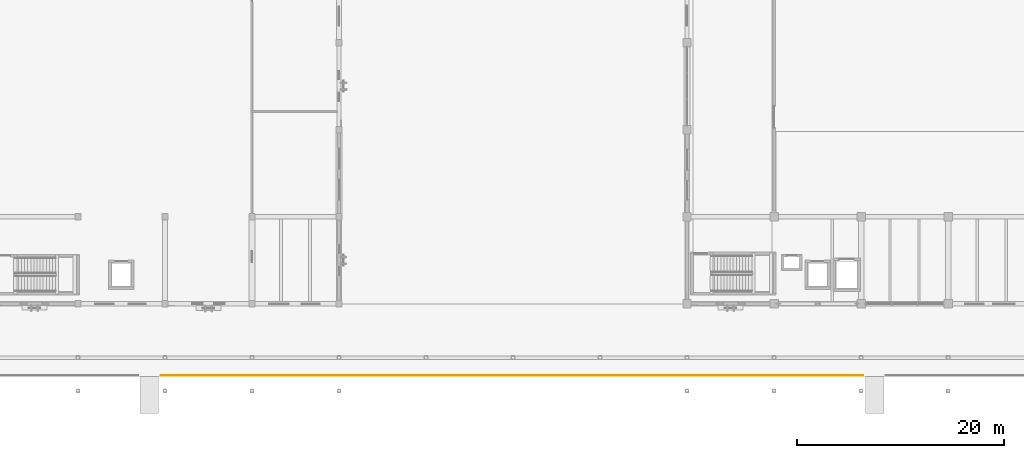
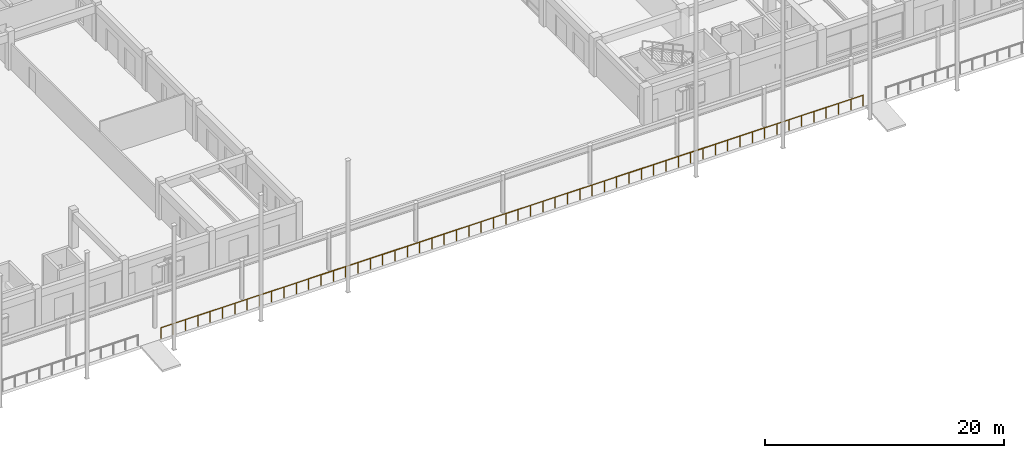
# One storey, part 126 of 135: 1 railing.
"""IFC4 building model written with IfcOpenShell, lengths in metres."""

import ifcopenshell
import ifcopenshell.guid

model = None  # the IFC model being written
_history = None  # IfcOwnerHistory: only IFC2X3 demands one
_inside = {}  # id of a spatial element -> (the spatial element, [elements in it])
_under = {}  # id of a project, library or spatial element -> (it, [spatial elements below it])
_declared = {}  # id of a project -> (the project, [libraries it declares])
_typed = {}  # id of a type object -> (the type object, [elements of that type])
_made_of = {}  # id of a material, layer set ... -> (it, [elements and type objects made of it])


def new_model(schema):
    """Start an empty IFC model of exactly this schema.

    Asked for "IFC4X3", IfcOpenShell would pick the latest addendum, in which some entities
    have other attributes; the version numbers below select the first issue.
    IFC2X3 requires an IfcOwnerHistory on every rooted entity: one is made here for all.
    """
    global model, _history
    if schema == "IFC4X3":
        model = ifcopenshell.file(schema_version=(4, 3, 0, 0))
    else:
        model = ifcopenshell.file(schema=schema)
    _inside.clear()
    _under.clear()
    _declared.clear()
    _typed.clear()
    _made_of.clear()
    _history = None
    if model.schema == "IFC2X3":
        org = make("IfcOrganization", Name="unknown")
        user = make(
            "IfcPersonAndOrganization",
            ThePerson=make("IfcPerson", FamilyName="unknown"),
            TheOrganization=org,
        )
        app = make(
            "IfcApplication",
            ApplicationDeveloper=org,
            Version="unknown",
            ApplicationFullName="unknown",
            ApplicationIdentifier="unknown",
        )
        _history = make(
            "IfcOwnerHistory",
            OwningUser=user,
            OwningApplication=app,
            ChangeAction="ADDED",
            CreationDate=0,
        )
    return model


def make(cls, **values):
    """One entity of the class cls with the attributes given. An attribute that is None is left unset."""
    return model.create_entity(
        cls, **{name: value for name, value in values.items() if value is not None}
    )


def rooted(cls, **values):
    """An entity with a GlobalId (a new one), such as an element, a storey or a relation."""
    return make(cls, GlobalId=ifcopenshell.guid.new(), OwnerHistory=_history, **values)


def si_unit(unit_type, name, prefix=None):
    """IfcSIUnit, for example si_unit("LENGTHUNIT", "METRE", prefix="MILLI")."""
    return make("IfcSIUnit", UnitType=unit_type, Prefix=prefix, Name=name)


def assignment(units):
    """IfcUnitAssignment: the units of a project."""
    return None if units is None else make("IfcUnitAssignment", Units=units)


def point(xyz):
    """IfcCartesianPoint."""
    return None if xyz is None else make("IfcCartesianPoint", Coordinates=xyz)


def direction(xyz):
    """IfcDirection."""
    return None if xyz is None else make("IfcDirection", DirectionRatios=xyz)


def frame(location, z_axis=None, x_axis=None):
    """IfcAxis2Placement3D, a coordinate frame: its origin and axes. An axis left out is left unset."""
    return make(
        "IfcAxis2Placement3D",
        Location=point(location),
        Axis=direction(z_axis),
        RefDirection=direction(x_axis),
    )


def frame_2d(location, x_axis=None):
    """IfcAxis2Placement2D, a coordinate frame in the plane: its origin and x axis."""
    return make(
        "IfcAxis2Placement2D", Location=point(location), RefDirection=direction(x_axis)
    )


def origin():
    """The frame at (0, 0, 0) with its axes left unset."""
    return frame((0.0, 0.0, 0.0))


def origin_2d():
    """The frame at (0, 0) in the plane with its x axis left unset."""
    return frame_2d((0.0, 0.0))


def place(relative_to, where):
    """IfcLocalPlacement: puts the frame where relative to a parent placement (None: the world)."""
    return make(
        "IfcLocalPlacement", PlacementRelTo=relative_to, RelativePlacement=where
    )


def context(
    kind, dimensions, precision=None, world=None, true_north=None, identifier=None
):
    """IfcGeometricRepresentationContext, for example the 3D "Model" context."""
    return make(
        "IfcGeometricRepresentationContext",
        ContextIdentifier=identifier,
        ContextType=kind,
        CoordinateSpaceDimension=dimensions,
        Precision=precision,
        WorldCoordinateSystem=world,
        TrueNorth=true_north,
    )


def subcontext(parent, identifier, kind, view, scale=None):
    """IfcGeometricRepresentationSubContext, for example "Body" below "Model"."""
    return make(
        "IfcGeometricRepresentationSubContext",
        ContextIdentifier=identifier,
        ContextType=kind,
        ParentContext=parent,
        TargetScale=scale,
        TargetView=view,
    )


def project(units=None, contexts=None):
    """IfcProject with its units and contexts."""
    return rooted(
        "IfcProject",
        Name="project",
        RepresentationContexts=contexts,
        UnitsInContext=assignment(units),
    )


def spatial(cls, under=None, at=None, **own):
    """A site, building, storey or space (cls), placed at a placement, below another one or the project."""
    s = rooted(cls, ObjectPlacement=at, **own)
    if under is not None:
        _under.setdefault(under.id(), (under, []))[1].append(s)
    return s


def profile(cls, at=None, kind="AREA", **sizes):
    """A parametric profile (cls). Its sizes go by their IFC names, for example OverallWidth=200.0."""
    return make(cls, ProfileType=kind, Position=at, **sizes)


def circle(**sizes):
    """IfcCircleProfileDef."""
    return profile("IfcCircleProfileDef", **sizes)


def extrude(swept, where, along, depth):
    """IfcExtrudedAreaSolid: the profile swept, set in the frame where, extruded along a direction by depth."""
    return make(
        "IfcExtrudedAreaSolid",
        SweptArea=swept,
        Position=where,
        ExtrudedDirection=direction(along),
        Depth=depth,
    )


def shape(context_of_items, identifier, shape_type, items):
    """IfcShapeRepresentation: the items that make up one representation, for example the "Body"."""
    return make(
        "IfcShapeRepresentation",
        ContextOfItems=context_of_items,
        RepresentationIdentifier=identifier,
        RepresentationType=shape_type,
        Items=items,
    )


def material(Name=None, Category=None):
    """IfcMaterial."""
    return make("IfcMaterial", Name=Name, Category=Category)


def made_of(thing, what):
    """Note that an element or type object is made of a material, layer set ...; save() writes the relation."""
    if what is not None:
        _made_of.setdefault(what.id(), (what, []))[1].append(thing)
    return thing


def type_object(cls, material=None, **own):
    """A type object (cls), such as IfcWallType, which elements share."""
    return made_of(rooted(cls, **own), material)


def element(
    cls,
    number,
    at=None,
    inside=None,
    cuts=None,
    type_object=None,
    material=None,
    context=None,
    identifier="Body",
    shape_type=None,
    held_by="IfcProductDefinitionShape",
    body=None,
    shapes=None,
    **own,
):
    """One element of the class cls, such as IfcWall. Its Tag is "e" and its number.

    at: its placement. inside: the storey or other place that contains it. cuts: it is an
    opening in that element (IfcRelVoidsElement). A single representation is given by context,
    identifier, shape_type and body (its items); several are given by shapes. held_by: the class
    of the entity that holds the representations. save() writes the other relations.
    """
    e = rooted(cls, Tag="e%d" % number, ObjectPlacement=at, **own)
    if body is not None:
        shapes = [shape(context, identifier, shape_type, body)]
    if shapes is not None:
        e.Representation = make(held_by, Representations=shapes)
    if inside is not None:
        _inside.setdefault(inside.id(), (inside, []))[1].append(e)
    if cuts is not None:
        rooted(
            "IfcRelVoidsElement", RelatingBuildingElement=cuts, RelatedOpeningElement=e
        )
    if type_object is not None:
        _typed.setdefault(type_object.id(), (type_object, []))[1].append(e)
    return made_of(e, material)


def aggregate(whole, parts):
    """IfcRelAggregates: a whole, such as a stair, and the parts it consists of."""
    return rooted("IfcRelAggregates", RelatingObject=whole, RelatedObjects=parts)


def save(model, path):
    """Write the relations noted so far, then the file.

    IfcRelAggregates (storeys below a building ...), IfcRelContainedInSpatialStructure (elements
    in a storey), IfcRelDefinesByType, IfcRelAssociatesMaterial and IfcRelDeclares: one each for
    every whole, place, type object, material and project.
    """
    for whole, parts in _under.values():
        aggregate(whole, parts)
    for where, things in _inside.values():
        rooted(
            "IfcRelContainedInSpatialStructure",
            RelatedElements=things,
            RelatingStructure=where,
        )
    for kind, things in _typed.values():
        rooted("IfcRelDefinesByType", RelatedObjects=things, RelatingType=kind)
    for what, things in _made_of.values():
        rooted("IfcRelAssociatesMaterial", RelatedObjects=things, RelatingMaterial=what)
    for by, libraries in _declared.values():
        rooted("IfcRelDeclares", RelatingContext=by, RelatedDefinitions=libraries)
    model.write(path)


model = new_model("IFC4")

# Units and contexts
model_context = context("Model", 3, precision=1e-05, world=origin(), true_north=direction((0.0, 1.0)))
body_context = subcontext(model_context, "Body", "Model", "MODEL_VIEW")
ifc_project = project(units=[si_unit("LENGTHUNIT", "METRE"), si_unit("AREAUNIT", "SQUARE_METRE"), si_unit("VOLUMEUNIT", "CUBIC_METRE"), si_unit("PLANEANGLEUNIT", "RADIAN"), si_unit("MASSUNIT", "GRAM", prefix="KILO")], contexts=[model_context])

# Site, building, storey
site_placement = place(None, origin())
site = spatial("IfcSite", under=ifc_project, at=site_placement, CompositionType="ELEMENT")
building_placement = place(site_placement, origin())
building = spatial("IfcBuilding", under=site, at=building_placement, Name="Cumbredor Promenade Congress Hotel", CompositionType="ELEMENT")
storey_placement = place(building_placement, origin())
storey = spatial("IfcBuildingStorey", under=building, at=storey_placement, Name="L00", CompositionType="ELEMENT", Elevation=0.0)

# Railing
ifc_material = material(Name="Brushed stainless steel", Category="steel")
railing_type = type_object("IfcRailingType", Name="Terrace Perimeter Balustrade BAL-1120", PredefinedType="BALUSTRADE", material=ifc_material)
railing_placement = place(storey_placement, frame((92.0, 1.5, 0.0)))
element("IfcRailing", 1, at=railing_placement, inside=storey, type_object=railing_type, Name="L00 Promenade Terrace Balustrade 07", PredefinedType="BALUSTRADE", context=body_context, shape_type="SweptSolid", body=[
    extrude(circle(Radius=0.02392578125, at=origin_2d()), frame((0.0, 0.0, 1.09619140625), z_axis=(1.0, 0.0, 0.0), x_axis=(0.0, 1.0, 0.0)), (0.0, 0.0, 1.0), 67.800048828125),
    extrude(circle(Radius=0.02099609375, at=origin_2d()), origin(), (0.0, 0.0, 1.0), 1.072021484375),
    extrude(circle(Radius=0.02099609375, at=origin_2d()), frame((1.189453125, 0.0, 0.0)), (0.0, 0.0, 1.0), 1.072021484375),
    extrude(circle(Radius=0.02099609375, at=origin_2d()), frame((2.37890625, 0.0, 0.0)), (0.0, 0.0, 1.0), 1.072021484375),
    extrude(circle(Radius=0.02099609375, at=origin_2d()), frame((3.568359375, 0.0, 0.0)), (0.0, 0.0, 1.0), 1.072021484375),
    extrude(circle(Radius=0.02099609375, at=origin_2d()), frame((4.7578125, 0.0, 0.0)), (0.0, 0.0, 1.0), 1.072021484375),
    extrude(circle(Radius=0.02099609375, at=origin_2d()), frame((5.947265625, 0.0, 0.0)), (0.0, 0.0, 1.0), 1.072021484375),
    extrude(circle(Radius=0.02099609375, at=origin_2d()), frame((7.136962890625, 0.0, 0.0)), (0.0, 0.0, 1.0), 1.072021484375),
    extrude(circle(Radius=0.02099609375, at=origin_2d()), frame((8.326416015625, 0.0, 0.0)), (0.0, 0.0, 1.0), 1.072021484375),
    extrude(circle(Radius=0.02099609375, at=origin_2d()), frame((9.515869140625, 0.0, 0.0)), (0.0, 0.0, 1.0), 1.072021484375),
    extrude(circle(Radius=0.02099609375, at=origin_2d()), frame((10.705322265625, 0.0, 0.0)), (0.0, 0.0, 1.0), 1.072021484375),
    extrude(circle(Radius=0.02099609375, at=origin_2d()), frame((11.894775390625, 0.0, 0.0)), (0.0, 0.0, 1.0), 1.072021484375),
    extrude(circle(Radius=0.02099609375, at=origin_2d()), frame((13.084228515625, 0.0, 0.0)), (0.0, 0.0, 1.0), 1.072021484375),
    extrude(circle(Radius=0.02099609375, at=origin_2d()), frame((14.273681640625, 0.0, 0.0)), (0.0, 0.0, 1.0), 1.072021484375),
    extrude(circle(Radius=0.02099609375, at=origin_2d()), frame((15.463134765625, 0.0, 0.0)), (0.0, 0.0, 1.0), 1.072021484375),
    extrude(circle(Radius=0.02099609375, at=origin_2d()), frame((16.652587890625, 0.0, 0.0)), (0.0, 0.0, 1.0), 1.072021484375),
    extrude(circle(Radius=0.02099609375, at=origin_2d()), frame((17.842041015625, 0.0, 0.0)), (0.0, 0.0, 1.0), 1.072021484375),
    extrude(circle(Radius=0.02099609375, at=origin_2d()), frame((19.031494140625, 0.0, 0.0)), (0.0, 0.0, 1.0), 1.072021484375),
    extrude(circle(Radius=0.02099609375, at=origin_2d()), frame((20.220947265625, 0.0, 0.0)), (0.0, 0.0, 1.0), 1.072021484375),
    extrude(circle(Radius=0.02099609375, at=origin_2d()), frame((21.41064453125, 0.0, 0.0)), (0.0, 0.0, 1.0), 1.072021484375),
    extrude(circle(Radius=0.02099609375, at=origin_2d()), frame((22.60009765625, 0.0, 0.0)), (0.0, 0.0, 1.0), 1.072021484375),
    extrude(circle(Radius=0.02099609375, at=origin_2d()), frame((23.78955078125, 0.0, 0.0)), (0.0, 0.0, 1.0), 1.072021484375),
    extrude(circle(Radius=0.02099609375, at=origin_2d()), frame((24.97900390625, 0.0, 0.0)), (0.0, 0.0, 1.0), 1.072021484375),
    extrude(circle(Radius=0.02099609375, at=origin_2d()), frame((26.16845703125, 0.0, 0.0)), (0.0, 0.0, 1.0), 1.072021484375),
    extrude(circle(Radius=0.02099609375, at=origin_2d()), frame((27.35791015625, 0.0, 0.0)), (0.0, 0.0, 1.0), 1.072021484375),
    extrude(circle(Radius=0.02099609375, at=origin_2d()), frame((28.54736328125, 0.0, 0.0)), (0.0, 0.0, 1.0), 1.072021484375),
    extrude(circle(Radius=0.02099609375, at=origin_2d()), frame((29.73681640625, 0.0, 0.0)), (0.0, 0.0, 1.0), 1.072021484375),
    extrude(circle(Radius=0.02099609375, at=origin_2d()), frame((30.92626953125, 0.0, 0.0)), (0.0, 0.0, 1.0), 1.072021484375),
    extrude(circle(Radius=0.02099609375, at=origin_2d()), frame((32.11572265625, 0.0, 0.0)), (0.0, 0.0, 1.0), 1.072021484375),
    extrude(circle(Radius=0.02099609375, at=origin_2d()), frame((33.30517578125, 0.0, 0.0)), (0.0, 0.0, 1.0), 1.072021484375),
    extrude(circle(Radius=0.02099609375, at=origin_2d()), frame((34.494873046875, 0.0, 0.0)), (0.0, 0.0, 1.0), 1.072021484375),
    extrude(circle(Radius=0.02099609375, at=origin_2d()), frame((35.684326171875, 0.0, 0.0)), (0.0, 0.0, 1.0), 1.072021484375),
    extrude(circle(Radius=0.02099609375, at=origin_2d()), frame((36.873779296875, 0.0, 0.0)), (0.0, 0.0, 1.0), 1.072021484375),
    extrude(circle(Radius=0.02099609375, at=origin_2d()), frame((38.063232421875, 0.0, 0.0)), (0.0, 0.0, 1.0), 1.072021484375),
    extrude(circle(Radius=0.02099609375, at=origin_2d()), frame((39.252685546875, 0.0, 0.0)), (0.0, 0.0, 1.0), 1.072021484375),
    extrude(circle(Radius=0.02099609375, at=origin_2d()), frame((40.442138671875, 0.0, 0.0)), (0.0, 0.0, 1.0), 1.072021484375),
    extrude(circle(Radius=0.02099609375, at=origin_2d()), frame((41.631591796875, 0.0, 0.0)), (0.0, 0.0, 1.0), 1.072021484375),
    extrude(circle(Radius=0.02099609375, at=origin_2d()), frame((42.821044921875, 0.0, 0.0)), (0.0, 0.0, 1.0), 1.072021484375),
    extrude(circle(Radius=0.02099609375, at=origin_2d()), frame((44.010498046875, 0.0, 0.0)), (0.0, 0.0, 1.0), 1.072021484375),
    extrude(circle(Radius=0.02099609375, at=origin_2d()), frame((45.199951171875, 0.0, 0.0)), (0.0, 0.0, 1.0), 1.072021484375),
    extrude(circle(Radius=0.02099609375, at=origin_2d()), frame((46.389404296875, 0.0, 0.0)), (0.0, 0.0, 1.0), 1.072021484375),
    extrude(circle(Radius=0.02099609375, at=origin_2d()), frame((47.5791015625, 0.0, 0.0)), (0.0, 0.0, 1.0), 1.072021484375),
    extrude(circle(Radius=0.02099609375, at=origin_2d()), frame((48.7685546875, 0.0, 0.0)), (0.0, 0.0, 1.0), 1.072021484375),
    extrude(circle(Radius=0.02099609375, at=origin_2d()), frame((49.9580078125, 0.0, 0.0)), (0.0, 0.0, 1.0), 1.072021484375),
    extrude(circle(Radius=0.02099609375, at=origin_2d()), frame((51.1474609375, 0.0, 0.0)), (0.0, 0.0, 1.0), 1.072021484375),
    extrude(circle(Radius=0.02099609375, at=origin_2d()), frame((52.3369140625, 0.0, 0.0)), (0.0, 0.0, 1.0), 1.072021484375),
    extrude(circle(Radius=0.02099609375, at=origin_2d()), frame((53.5263671875, 0.0, 0.0)), (0.0, 0.0, 1.0), 1.072021484375),
    extrude(circle(Radius=0.02099609375, at=origin_2d()), frame((54.7158203125, 0.0, 0.0)), (0.0, 0.0, 1.0), 1.072021484375),
    extrude(circle(Radius=0.02099609375, at=origin_2d()), frame((55.9052734375, 0.0, 0.0)), (0.0, 0.0, 1.0), 1.072021484375),
    extrude(circle(Radius=0.02099609375, at=origin_2d()), frame((57.0947265625, 0.0, 0.0)), (0.0, 0.0, 1.0), 1.072021484375),
    extrude(circle(Radius=0.02099609375, at=origin_2d()), frame((58.2841796875, 0.0, 0.0)), (0.0, 0.0, 1.0), 1.072021484375),
    extrude(circle(Radius=0.02099609375, at=origin_2d()), frame((59.4736328125, 0.0, 0.0)), (0.0, 0.0, 1.0), 1.072021484375),
    extrude(circle(Radius=0.02099609375, at=origin_2d()), frame((60.6630859375, 0.0, 0.0)), (0.0, 0.0, 1.0), 1.072021484375),
    extrude(circle(Radius=0.02099609375, at=origin_2d()), frame((61.852783203125, 0.0, 0.0)), (0.0, 0.0, 1.0), 1.072021484375),
    extrude(circle(Radius=0.02099609375, at=origin_2d()), frame((63.042236328125, 0.0, 0.0)), (0.0, 0.0, 1.0), 1.072021484375),
    extrude(circle(Radius=0.02099609375, at=origin_2d()), frame((64.231689453125, 0.0, 0.0)), (0.0, 0.0, 1.0), 1.072021484375),
    extrude(circle(Radius=0.02099609375, at=origin_2d()), frame((65.421142578125, 0.0, 0.0)), (0.0, 0.0, 1.0), 1.072021484375),
    extrude(circle(Radius=0.02099609375, at=origin_2d()), frame((66.610595703125, 0.0, 0.0)), (0.0, 0.0, 1.0), 1.072021484375),
    extrude(circle(Radius=0.02099609375, at=origin_2d()), frame((67.800048828125, 0.0, 0.0)), (0.0, 0.0, 1.0), 1.072021484375),
])

save(model, "model.ifc")
